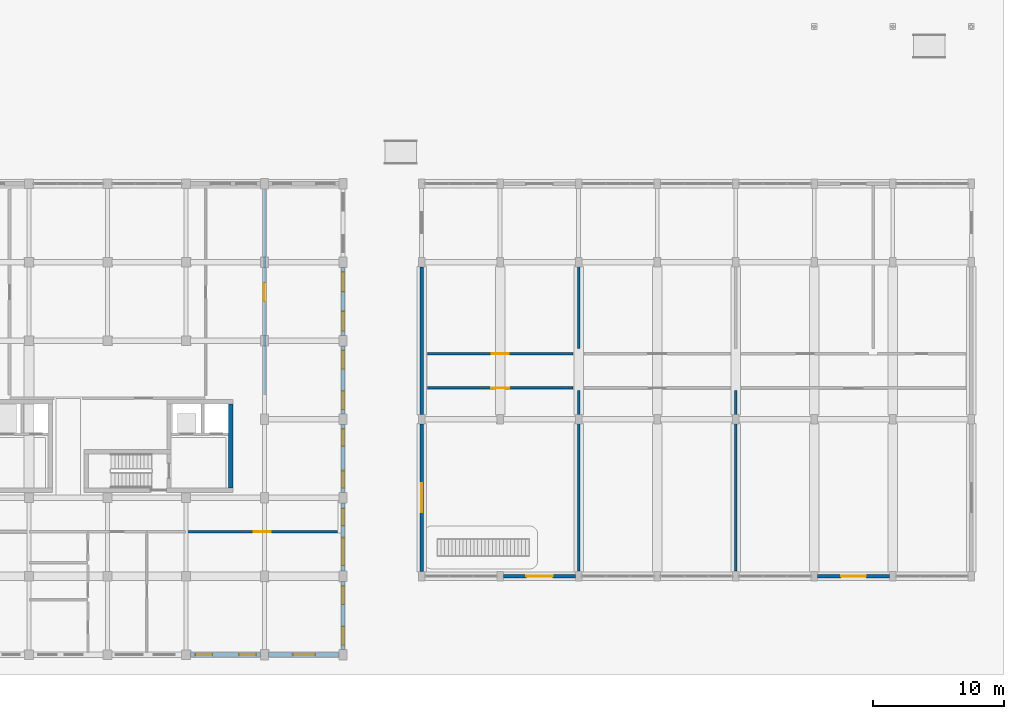
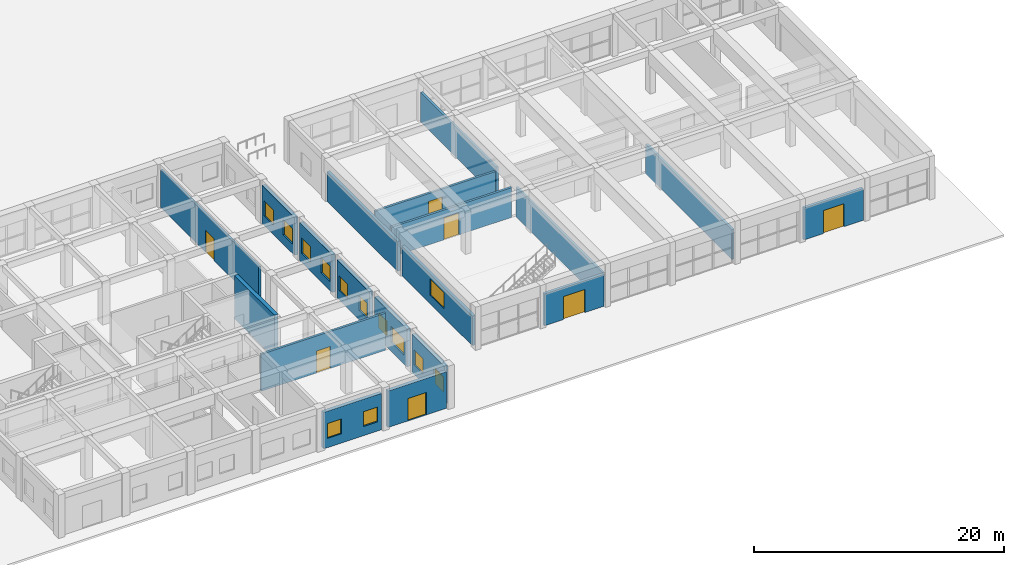
# One storey, part 59 of 76: 19 walls, 13 windows, 7 doors, 20 openings.
"""IFC4 building model written with IfcOpenShell, lengths in metres."""

import ifcopenshell
import ifcopenshell.guid

model = None  # the IFC model being written
_history = None  # IfcOwnerHistory: only IFC2X3 demands one
_inside = {}  # id of a spatial element -> (the spatial element, [elements in it])
_under = {}  # id of a project, library or spatial element -> (it, [spatial elements below it])
_declared = {}  # id of a project -> (the project, [libraries it declares])
_typed = {}  # id of a type object -> (the type object, [elements of that type])
_made_of = {}  # id of a material, layer set ... -> (it, [elements and type objects made of it])


def new_model(schema):
    """Start an empty IFC model of exactly this schema.

    Asked for "IFC4X3", IfcOpenShell would pick the latest addendum, in which some entities
    have other attributes; the version numbers below select the first issue.
    IFC2X3 requires an IfcOwnerHistory on every rooted entity: one is made here for all.
    """
    global model, _history
    if schema == "IFC4X3":
        model = ifcopenshell.file(schema_version=(4, 3, 0, 0))
    else:
        model = ifcopenshell.file(schema=schema)
    _inside.clear()
    _under.clear()
    _declared.clear()
    _typed.clear()
    _made_of.clear()
    _history = None
    if model.schema == "IFC2X3":
        org = make("IfcOrganization", Name="unknown")
        user = make(
            "IfcPersonAndOrganization",
            ThePerson=make("IfcPerson", FamilyName="unknown"),
            TheOrganization=org,
        )
        app = make(
            "IfcApplication",
            ApplicationDeveloper=org,
            Version="unknown",
            ApplicationFullName="unknown",
            ApplicationIdentifier="unknown",
        )
        _history = make(
            "IfcOwnerHistory",
            OwningUser=user,
            OwningApplication=app,
            ChangeAction="ADDED",
            CreationDate=0,
        )
    return model


def make(cls, **values):
    """One entity of the class cls with the attributes given. An attribute that is None is left unset."""
    return model.create_entity(
        cls, **{name: value for name, value in values.items() if value is not None}
    )


def rooted(cls, **values):
    """An entity with a GlobalId (a new one), such as an element, a storey or a relation."""
    return make(cls, GlobalId=ifcopenshell.guid.new(), OwnerHistory=_history, **values)


def si_unit(unit_type, name, prefix=None):
    """IfcSIUnit, for example si_unit("LENGTHUNIT", "METRE", prefix="MILLI")."""
    return make("IfcSIUnit", UnitType=unit_type, Prefix=prefix, Name=name)


def assignment(units):
    """IfcUnitAssignment: the units of a project."""
    return None if units is None else make("IfcUnitAssignment", Units=units)


def point(xyz):
    """IfcCartesianPoint."""
    return None if xyz is None else make("IfcCartesianPoint", Coordinates=xyz)


def direction(xyz):
    """IfcDirection."""
    return None if xyz is None else make("IfcDirection", DirectionRatios=xyz)


def frame(location, z_axis=None, x_axis=None):
    """IfcAxis2Placement3D, a coordinate frame: its origin and axes. An axis left out is left unset."""
    return make(
        "IfcAxis2Placement3D",
        Location=point(location),
        Axis=direction(z_axis),
        RefDirection=direction(x_axis),
    )


def frame_2d(location, x_axis=None):
    """IfcAxis2Placement2D, a coordinate frame in the plane: its origin and x axis."""
    return make(
        "IfcAxis2Placement2D", Location=point(location), RefDirection=direction(x_axis)
    )


def origin():
    """The frame at (0, 0, 0) with its axes left unset."""
    return frame((0.0, 0.0, 0.0))


def place(relative_to, where):
    """IfcLocalPlacement: puts the frame where relative to a parent placement (None: the world)."""
    return make(
        "IfcLocalPlacement", PlacementRelTo=relative_to, RelativePlacement=where
    )


def context(
    kind, dimensions, precision=None, world=None, true_north=None, identifier=None
):
    """IfcGeometricRepresentationContext, for example the 3D "Model" context."""
    return make(
        "IfcGeometricRepresentationContext",
        ContextIdentifier=identifier,
        ContextType=kind,
        CoordinateSpaceDimension=dimensions,
        Precision=precision,
        WorldCoordinateSystem=world,
        TrueNorth=true_north,
    )


def subcontext(parent, identifier, kind, view, scale=None):
    """IfcGeometricRepresentationSubContext, for example "Body" below "Model"."""
    return make(
        "IfcGeometricRepresentationSubContext",
        ContextIdentifier=identifier,
        ContextType=kind,
        ParentContext=parent,
        TargetScale=scale,
        TargetView=view,
    )


def project(units=None, contexts=None):
    """IfcProject with its units and contexts."""
    return rooted(
        "IfcProject",
        Name="project",
        RepresentationContexts=contexts,
        UnitsInContext=assignment(units),
    )


def spatial(cls, under=None, at=None, **own):
    """A site, building, storey or space (cls), placed at a placement, below another one or the project."""
    s = rooted(cls, ObjectPlacement=at, **own)
    if under is not None:
        _under.setdefault(under.id(), (under, []))[1].append(s)
    return s


def profile(cls, at=None, kind="AREA", **sizes):
    """A parametric profile (cls). Its sizes go by their IFC names, for example OverallWidth=200.0."""
    return make(cls, ProfileType=kind, Position=at, **sizes)


def rectangle(**sizes):
    """IfcRectangleProfileDef."""
    return profile("IfcRectangleProfileDef", **sizes)


def extrude(swept, where, along, depth):
    """IfcExtrudedAreaSolid: the profile swept, set in the frame where, extruded along a direction by depth."""
    return make(
        "IfcExtrudedAreaSolid",
        SweptArea=swept,
        Position=where,
        ExtrudedDirection=direction(along),
        Depth=depth,
    )


def shape(context_of_items, identifier, shape_type, items):
    """IfcShapeRepresentation: the items that make up one representation, for example the "Body"."""
    return make(
        "IfcShapeRepresentation",
        ContextOfItems=context_of_items,
        RepresentationIdentifier=identifier,
        RepresentationType=shape_type,
        Items=items,
    )


def material(Name=None, Category=None):
    """IfcMaterial."""
    return make("IfcMaterial", Name=Name, Category=Category)


def layer(
    of_material, thickness, ventilated=None, Name=None, Category=None, Priority=None
):
    """IfcMaterialLayer: one layer of a wall or slab, of a material (None: an air gap)."""
    return make(
        "IfcMaterialLayer",
        Material=of_material,
        LayerThickness=thickness,
        IsVentilated=ventilated,
        Name=Name,
        Category=Category,
        Priority=Priority,
    )


def layer_set(layers, Name=None):
    """IfcMaterialLayerSet."""
    return make("IfcMaterialLayerSet", MaterialLayers=layers, LayerSetName=Name)


def made_of(thing, what):
    """Note that an element or type object is made of a material, layer set ...; save() writes the relation."""
    if what is not None:
        _made_of.setdefault(what.id(), (what, []))[1].append(thing)
    return thing


def type_object(cls, material=None, **own):
    """A type object (cls), such as IfcWallType, which elements share."""
    return made_of(rooted(cls, **own), material)


def element(
    cls,
    number,
    at=None,
    inside=None,
    cuts=None,
    type_object=None,
    material=None,
    context=None,
    identifier="Body",
    shape_type=None,
    held_by="IfcProductDefinitionShape",
    body=None,
    shapes=None,
    **own,
):
    """One element of the class cls, such as IfcWall. Its Tag is "e" and its number.

    at: its placement. inside: the storey or other place that contains it. cuts: it is an
    opening in that element (IfcRelVoidsElement). A single representation is given by context,
    identifier, shape_type and body (its items); several are given by shapes. held_by: the class
    of the entity that holds the representations. save() writes the other relations.
    """
    e = rooted(cls, Tag="e%d" % number, ObjectPlacement=at, **own)
    if body is not None:
        shapes = [shape(context, identifier, shape_type, body)]
    if shapes is not None:
        e.Representation = make(held_by, Representations=shapes)
    if inside is not None:
        _inside.setdefault(inside.id(), (inside, []))[1].append(e)
    if cuts is not None:
        rooted(
            "IfcRelVoidsElement", RelatingBuildingElement=cuts, RelatedOpeningElement=e
        )
    if type_object is not None:
        _typed.setdefault(type_object.id(), (type_object, []))[1].append(e)
    return made_of(e, material)


def fill(opening, filler):
    """IfcRelFillsElement: the door or window that sits in an opening."""
    return rooted(
        "IfcRelFillsElement",
        RelatingOpeningElement=opening,
        RelatedBuildingElement=filler,
    )


def aggregate(whole, parts):
    """IfcRelAggregates: a whole, such as a stair, and the parts it consists of."""
    return rooted("IfcRelAggregates", RelatingObject=whole, RelatedObjects=parts)


def save(model, path):
    """Write the relations noted so far, then the file.

    IfcRelAggregates (storeys below a building ...), IfcRelContainedInSpatialStructure (elements
    in a storey), IfcRelDefinesByType, IfcRelAssociatesMaterial and IfcRelDeclares: one each for
    every whole, place, type object, material and project.
    """
    for whole, parts in _under.values():
        aggregate(whole, parts)
    for where, things in _inside.values():
        rooted(
            "IfcRelContainedInSpatialStructure",
            RelatedElements=things,
            RelatingStructure=where,
        )
    for kind, things in _typed.values():
        rooted("IfcRelDefinesByType", RelatedObjects=things, RelatingType=kind)
    for what, things in _made_of.values():
        rooted("IfcRelAssociatesMaterial", RelatedObjects=things, RelatingMaterial=what)
    for by, libraries in _declared.values():
        rooted("IfcRelDeclares", RelatingContext=by, RelatedDefinitions=libraries)
    model.write(path)


model = new_model("IFC4")

# Units and contexts
model_context = context("Model", 3, precision=1e-05, world=origin(), true_north=direction((0.0, 1.0)))
body_context = subcontext(model_context, "Body", "Model", "MODEL_VIEW")
ifc_project = project(units=[si_unit("LENGTHUNIT", "METRE"), si_unit("AREAUNIT", "SQUARE_METRE"), si_unit("VOLUMEUNIT", "CUBIC_METRE"), si_unit("PLANEANGLEUNIT", "RADIAN"), si_unit("MASSUNIT", "GRAM", prefix="KILO"), si_unit("POWERUNIT", "WATT"), si_unit("THERMODYNAMICTEMPERATUREUNIT", "KELVIN")], contexts=[model_context])

# Site, building, storey
site_placement = place(None, origin())
site = spatial("IfcSite", under=ifc_project, at=site_placement, CompositionType="ELEMENT")
building_placement = place(site_placement, origin())
building = spatial("IfcBuilding", under=site, at=building_placement, Name="Ruvembo Vaulted Housing Court", CompositionType="ELEMENT")
storey_placement = place(building_placement, origin())
storey = spatial("IfcBuildingStorey", under=building, at=storey_placement, Name="L00", CompositionType="ELEMENT", Elevation=0.0)

# Wall
ifc_material_1 = material(Name="Concrete C35/45", Category="concrete")
ifc_layer_1 = layer(ifc_material_1, 0.35009765625, Name="Concrete C35/45")
ifc_layer_set_1 = layer_set([ifc_layer_1], Name="Concrete C35/45")
wall_type_1 = type_object("IfcWallType", Name="WL-CORE-350", PredefinedType="SHEAR", material=ifc_layer_set_1)
wall_1_placement = place(storey_placement, frame((129.425048828125, 12.75, 0.0), z_axis=(0.0, 0.0, 1.0), x_axis=(0.0, 1.0, 0.0)))
element("IfcWall", 1, at=wall_1_placement, inside=storey, type_object=wall_type_1, Name="Core C2 L00 East Shear Wall", PredefinedType="SHEAR", context=body_context, shape_type="SweptSolid", body=[
    extrude(rectangle(XDim=6.39990234375, YDim=0.35009765625, at=frame_2d((3.199951171875, 0.0))), origin(), (0.0, 0.0, 1.0), 4.22998046875),
])

# Wall, opening, door
ifc_material_2 = material(Name="Concrete Blockwork 200", Category="masonry")
ifc_layer_2 = layer(ifc_material_2, 0.199951171875, Name="Concrete Blockwork 200")
ifc_layer_set_2 = layer_set([ifc_layer_2], Name="Concrete Blockwork 200")
wall_type_2 = type_object("IfcWallType", Name="WL-CORR-200", PredefinedType="SOLIDWALL", material=ifc_layer_set_2)
wall_2_placement = place(storey_placement, frame((144.43994140625, 20.39990234375, 0.0), z_axis=(0.0, 0.0, 1.0), x_axis=(1.0, 0.0, 0.0)))
wall_2 = element("IfcWall", 2, at=wall_2_placement, inside=storey, type_object=wall_type_2, Name="L00 Cooperative Fresh Produce Market WL-INT-L00-00077", PredefinedType="SOLIDWALL", context=body_context, shape_type="SweptSolid", body=[
    extrude(rectangle(XDim=11.1201171875, YDim=0.199951171875, at=frame_2d((5.56005859375, 0.0))), origin(), (0.0, 0.0, 1.0), 2.912109375),
])
opening_1_placement = place(wall_2_placement, frame((4.860107421875, 0.0, 0.0)))
opening_1 = element("IfcOpeningElement", 3, at=opening_1_placement, cuts=wall_2, Name="Opening CD1", PredefinedType="OPENING", context=body_context, shape_type="SweptSolid", body=[
    extrude(rectangle(XDim=1.39990234375, YDim=2.14990234375, at=frame_2d((0.699951171875, 1.074951171875))), frame((0.0, 0.10986328125, 0.0), z_axis=(0.0, -1.0, 0.0), x_axis=(1.0, 0.0, 0.0)), (0.0, 0.0, 1.0), 0.219970703125),
])
ifc_material_3 = material(Name="FSC Hardwood and Engineered Timber", Category="wood")
door_type_1 = type_object("IfcDoorType", Name="DR-CIVIC-1400x2150", OperationType="NOTDEFINED", PredefinedType="DOOR", material=ifc_material_3)
door_1_placement = place(opening_1_placement, origin())
door_1 = element("IfcDoor", 4, at=door_1_placement, inside=storey, type_object=door_type_1, Name="L00 Cooperative Fresh Produce Market Door DR-INT-L00-00028", OperationType="SINGLE_SWING_RIGHT", OverallHeight=2.14990234375, OverallWidth=1.39990234375, PredefinedType="DOOR", context=body_context, shape_type="SweptSolid", body=[
    extrude(rectangle(XDim=1.39990234375, YDim=2.14990234375, at=frame_2d((0.699951171875, 1.074951171875))), frame((0.0, 0.02490234375, 0.0), z_axis=(0.0, -1.0, 0.0), x_axis=(1.0, 0.0, 0.0)), (0.0, 0.0, 1.0), 0.050048828125),
])
fill(opening_1, door_1)

# Walls
for number, where, z_axis, x_axis, name in (
    (5, (156.0, 6.389892578125, 0.0), (0.0, 0.0, 1.0), (0.0, 1.0, 0.0), "L00 Cooperative Fresh Produce Market Div WL-INT-L00-00078"),
    (6, (168.0, 6.389892578125, 0.0), (0.0, 0.0, 1.0), (0.0, 1.0, 0.0), "L00 Neighbourhood Pharmacy & Repair Div WL-INT-L00-00080"),
):
    element("IfcWall", number, at=place(storey_placement, frame(where, z_axis=z_axis, x_axis=x_axis)), inside=storey, type_object=wall_type_2, Name=name, PredefinedType="SOLIDWALL", context=body_context, shape_type="SweptSolid", body=[
        extrude(rectangle(XDim=13.820068359375, YDim=0.199951171875, at=frame_2d((6.91015625, 0.0))), origin(), (0.0, 0.0, 1.0), 2.912109375),
    ])

# Wall, opening, door
wall_3_placement = place(storey_placement, frame((144.43994140625, 23.0, 0.0), z_axis=(0.0, 0.0, 1.0), x_axis=(1.0, 0.0, 0.0)))
wall_3 = element("IfcWall", 7, at=wall_3_placement, inside=storey, type_object=wall_type_2, Name="L00 Artisan Tailoring & Bookshop WL-INT-L00-00082", PredefinedType="SOLIDWALL", context=body_context, shape_type="SweptSolid", body=[
    extrude(rectangle(XDim=11.1201171875, YDim=0.199951171875, at=frame_2d((5.56005859375, 0.0))), origin(), (0.0, 0.0, 1.0), 2.912109375),
])
opening_2_placement = place(wall_3_placement, frame((4.909912109375, 0.0, 0.0)))
opening_2 = element("IfcOpeningElement", 8, at=opening_2_placement, cuts=wall_3, Name="Opening CD2", PredefinedType="OPENING", context=body_context, shape_type="SweptSolid", body=[
    extrude(rectangle(XDim=1.300048828125, YDim=2.14990234375, at=frame_2d((0.64990234375, 1.074951171875))), frame((0.0, 0.10986328125, 0.0), z_axis=(0.0, -1.0, 0.0), x_axis=(1.0, 0.0, 0.0)), (0.0, 0.0, 1.0), 0.219970703125),
])
door_type_2 = type_object("IfcDoorType", Name="DR-CIVIC-1300x2150", OperationType="NOTDEFINED", PredefinedType="DOOR", material=ifc_material_3)
door_2_placement = place(opening_2_placement, origin())
door_2 = element("IfcDoor", 9, at=door_2_placement, inside=storey, type_object=door_type_2, Name="L00 Artisan Tailoring & Bookshop Door DR-INT-L00-00031", OperationType="SINGLE_SWING_LEFT", OverallHeight=2.14990234375, OverallWidth=1.300048828125, PredefinedType="DOOR", context=body_context, shape_type="SweptSolid", body=[
    extrude(rectangle(XDim=1.300048828125, YDim=2.14990234375, at=frame_2d((0.64990234375, 1.074951171875))), frame((0.0, 0.02490234375, 0.0), z_axis=(0.0, -1.0, 0.0), x_axis=(1.0, 0.0, 0.0)), (0.0, 0.0, 1.0), 0.050048828125),
])
fill(opening_2, door_2)

# Wall
wall_4_placement = place(storey_placement, frame((156.0, 23.389892578125, 0.0), z_axis=(0.0, 0.0, 1.0), x_axis=(0.0, 1.0, 0.0)))
element("IfcWall", 10, at=wall_4_placement, inside=storey, type_object=wall_type_2, Name="L00 Artisan Tailoring & Bookshop Div WL-INT-L00-00083", PredefinedType="SOLIDWALL", context=body_context, shape_type="SweptSolid", body=[
    extrude(rectangle(XDim=12.10009765625, YDim=0.199951171875, at=frame_2d((6.050048828125, 0.0))), origin(), (0.0, 0.0, 1.0), 2.912109375),
])

# Wall, opening, door
wall_5_placement = place(storey_placement, frame((132.0, 19.840087890625, 0.0), z_axis=(0.0, 0.0, 1.0), x_axis=(0.0, 1.0, 0.0)))
wall_5 = element("IfcWall", 11, at=wall_5_placement, inside=storey, type_object=wall_type_2, Name="L00 Mobility Hub C WL-INT-L00-00127", PredefinedType="SOLIDWALL", context=body_context, shape_type="SweptSolid", body=[
    extrude(rectangle(XDim=15.719970703125, YDim=0.199951171875, at=frame_2d((7.85986328125, 0.0))), origin(), (0.0, 0.0, 1.0), 3.7119140625),
])
opening_3_placement = place(wall_5_placement, frame((7.159912109375, 0.0, 0.0)))
opening_3 = element("IfcOpeningElement", 12, at=opening_3_placement, cuts=wall_5, Name="Opening CD1", PredefinedType="OPENING", context=body_context, shape_type="SweptSolid", body=[
    extrude(rectangle(XDim=1.39990234375, YDim=2.14990234375, at=frame_2d((0.699951171875, 1.074951171875))), frame((0.0, 0.10986328125, 0.0), z_axis=(0.0, -1.0, 0.0), x_axis=(1.0, 0.0, 0.0)), (0.0, 0.0, 1.0), 0.219970703125),
])
door_3_placement = place(opening_3_placement, origin())
door_3 = element("IfcDoor", 13, at=door_3_placement, inside=storey, type_object=door_type_1, Name="L00 Mobility Hub C Door DR-INT-L00-00058", OperationType="SINGLE_SWING_RIGHT", OverallHeight=2.14990234375, OverallWidth=1.39990234375, PredefinedType="DOOR", context=body_context, shape_type="SweptSolid", body=[
    extrude(rectangle(XDim=1.39990234375, YDim=2.14990234375, at=frame_2d((0.699951171875, 1.074951171875))), frame((0.0, 0.02490234375, 0.0), z_axis=(0.0, -1.0, 0.0), x_axis=(1.0, 0.0, 0.0)), (0.0, 0.0, 1.0), 0.050048828125),
])
fill(opening_3, door_3)

wall_6_placement = place(storey_placement, frame((126.0400390625, 9.39990234375, 0.0), z_axis=(0.0, 0.0, 1.0), x_axis=(1.0, 0.0, 0.0)))
wall_6 = element("IfcWall", 14, at=wall_6_placement, inside=storey, type_object=wall_type_2, Name="L00 East Vestibule WL-INT-L00-00140", PredefinedType="SOLIDWALL", context=body_context, shape_type="SweptSolid", body=[
    extrude(rectangle(XDim=11.52001953125, YDim=0.199951171875, at=frame_2d((5.760009765625, 0.0))), origin(), (0.0, 0.0, 1.0), 3.612060546875),
])
opening_4_placement = place(wall_6_placement, frame((5.110107421875, 0.0, 0.0)))
opening_4 = element("IfcOpeningElement", 15, at=opening_4_placement, cuts=wall_6, Name="Opening CD2", PredefinedType="OPENING", context=body_context, shape_type="SweptSolid", body=[
    extrude(rectangle(XDim=1.300048828125, YDim=2.14990234375, at=frame_2d((0.64990234375, 1.074951171875))), frame((0.0, 0.10986328125, 0.0), z_axis=(0.0, -1.0, 0.0), x_axis=(1.0, 0.0, 0.0)), (0.0, 0.0, 1.0), 0.219970703125),
])
door_4_placement = place(opening_4_placement, origin())
door_4 = element("IfcDoor", 16, at=door_4_placement, inside=storey, type_object=door_type_2, Name="L00 East Vestibule Door DR-INT-L00-00065", OperationType="SINGLE_SWING_LEFT", OverallHeight=2.14990234375, OverallWidth=1.300048828125, PredefinedType="DOOR", context=body_context, shape_type="SweptSolid", body=[
    extrude(rectangle(XDim=1.300048828125, YDim=2.14990234375, at=frame_2d((0.64990234375, 1.074951171875))), frame((0.0, 0.02490234375, 0.0), z_axis=(0.0, -1.0, 0.0), x_axis=(1.0, 0.0, 0.0)), (0.0, 0.0, 1.0), 0.050048828125),
])
fill(opening_4, door_4)

ifc_material_4 = material(Name="Rendered Masonry 260", Category="masonry")
ifc_layer_3 = layer(ifc_material_4, 0.260009765625, Name="Rendered Masonry 260")
ifc_layer_set_3 = layer_set([ifc_layer_3], Name="Rendered Masonry 260")
wall_type_3 = type_object("IfcWallType", Name="WL-EXT-260", PredefinedType="STANDARD", material=ifc_layer_set_3)
wall_7_placement = place(storey_placement, frame((150.25, 6.0, 0.0), z_axis=(0.0, 0.0, 1.0), x_axis=(1.0, 0.0, 0.0)))
wall_7 = element("IfcWall", 17, at=wall_7_placement, inside=storey, type_object=wall_type_3, Name="Shops Entrance Bay S2", PredefinedType="STANDARD", context=body_context, shape_type="SweptSolid", body=[
    extrude(rectangle(XDim=5.5, YDim=0.260009765625, at=frame_2d((2.75, 0.0))), origin(), (0.0, 0.0, 1.0), 3.112060546875),
])
opening_5_placement = place(wall_7_placement, frame((1.75, 0.0, 0.0)))
opening_5 = element("IfcOpeningElement", 18, at=opening_5_placement, cuts=wall_7, Name="Opening ED1", PredefinedType="OPENING", context=body_context, shape_type="SweptSolid", body=[
    extrude(rectangle(XDim=2.0, YDim=2.25, at=frame_2d((1.0, 1.125))), frame((0.0, 0.139892578125, 0.0), z_axis=(0.0, -1.0, 0.0), x_axis=(1.0, 0.0, 0.0)), (0.0, 0.0, 1.0), 0.280029296875),
])
ifc_material_5 = material(Name="Thermally Broken Glazed Aluminium", Category="aluminium")
door_type_3 = type_object("IfcDoorType", Name="DR-LOB-2000x2250", OperationType="NOTDEFINED", PredefinedType="DOOR", material=ifc_material_5)
door_5_placement = place(opening_5_placement, frame((2.0, 0.0, 0.0), z_axis=(0.0, 0.0, 1.0), x_axis=(-1.0, 0.0, 0.0)))
door_5 = element("IfcDoor", 19, at=door_5_placement, inside=storey, type_object=door_type_3, Name="Shops Street Entrance S2", OperationType="DOUBLE_DOOR_SINGLE_SWING", OverallHeight=2.25, OverallWidth=2.0, PredefinedType="DOOR", context=body_context, shape_type="SweptSolid", body=[
    extrude(rectangle(XDim=2.0, YDim=2.25, at=frame_2d((1.0, 1.125))), frame((0.0, 0.02490234375, 0.0), z_axis=(0.0, -1.0, 0.0), x_axis=(1.0, 0.0, 0.0)), (0.0, 0.0, 1.0), 0.050048828125),
])
fill(opening_5, door_5)

wall_8_placement = place(storey_placement, frame((174.25, 6.0, 0.0), z_axis=(0.0, 0.0, 1.0), x_axis=(1.0, 0.0, 0.0)))
wall_8 = element("IfcWall", 20, at=wall_8_placement, inside=storey, type_object=wall_type_3, Name="Shops Entrance Bay S6", PredefinedType="STANDARD", context=body_context, shape_type="SweptSolid", body=[
    extrude(rectangle(XDim=5.5, YDim=0.260009765625, at=frame_2d((2.75, 0.0))), origin(), (0.0, 0.0, 1.0), 3.112060546875),
])
opening_6_placement = place(wall_8_placement, frame((1.800048828125, 0.0, 0.0)))
opening_6 = element("IfcOpeningElement", 21, at=opening_6_placement, cuts=wall_8, Name="Opening ED2", PredefinedType="OPENING", context=body_context, shape_type="SweptSolid", body=[
    extrude(rectangle(XDim=1.89990234375, YDim=2.25, at=frame_2d((0.949951171875, 1.125))), frame((0.0, 0.139892578125, 0.0), z_axis=(0.0, -1.0, 0.0), x_axis=(1.0, 0.0, 0.0)), (0.0, 0.0, 1.0), 0.280029296875),
])
door_type_4 = type_object("IfcDoorType", Name="DR-LOB-1900x2250", OperationType="NOTDEFINED", PredefinedType="DOOR", material=ifc_material_5)
door_6_placement = place(opening_6_placement, frame((1.89990234375, 0.0, 0.0), z_axis=(0.0, 0.0, 1.0), x_axis=(-1.0, 0.0, 0.0)))
door_6 = element("IfcDoor", 22, at=door_6_placement, inside=storey, type_object=door_type_4, Name="Shops Street Entrance S6", OperationType="DOUBLE_DOOR_SINGLE_SWING", OverallHeight=2.25, OverallWidth=1.89990234375, PredefinedType="DOOR", context=body_context, shape_type="SweptSolid", body=[
    extrude(rectangle(XDim=1.89990234375, YDim=2.25, at=frame_2d((0.949951171875, 1.125))), frame((0.0, 0.02490234375, 0.0), z_axis=(0.0, -1.0, 0.0), x_axis=(1.0, 0.0, 0.0)), (0.0, 0.0, 1.0), 0.050048828125),
])
fill(opening_6, door_6)

# Wall, opening, window
wall_9_placement = place(storey_placement, frame((144.0, 17.64990234375, 0.0), z_axis=(0.0, 0.0, 1.0), x_axis=(0.0, -1.0, 0.0)))
wall_9 = element("IfcWall", 23, at=wall_9_placement, inside=storey, type_object=wall_type_3, Name="Shops W Facade Wall L00 Bay 1", PredefinedType="STANDARD", context=body_context, shape_type="SweptSolid", body=[
    extrude(rectangle(XDim=11.2998046875, YDim=0.260009765625, at=frame_2d((5.64990234375, 0.0))), origin(), (0.0, 0.0, 1.0), 2.912109375),
])
opening_7_placement = place(wall_9_placement, frame((4.52490234375, 0.0, 0.85009765625)))
opening_7 = element("IfcOpeningElement", 24, at=opening_7_placement, cuts=wall_9, Name="Opening W27", PredefinedType="OPENING", context=body_context, shape_type="SweptSolid", body=[
    extrude(rectangle(XDim=2.25, YDim=1.60009765625, at=frame_2d((1.125, 0.800048828125))), frame((0.0, 0.139892578125, 0.0), z_axis=(0.0, -1.0, 0.0), x_axis=(1.0, 0.0, 0.0)), (0.0, 0.0, 1.0), 0.280029296875),
])
ifc_material_6 = material(Name="Double Solar-Control Glazing in Aluminium Frame", Category="aluminium")
window_type_1 = type_object("IfcWindowType", Name="WIN-2250x1600", PartitioningType="SINGLE_PANEL", PredefinedType="WINDOW", material=ifc_material_6)
window_1_placement = place(opening_7_placement, origin())
window_1 = element("IfcWindow", 25, at=window_1_placement, inside=storey, type_object=window_type_1, Name="Shops W Window L00 #1", OverallHeight=1.60009765625, OverallWidth=2.25, PartitioningType="SINGLE_PANEL", PredefinedType="WINDOW", context=body_context, shape_type="SweptSolid", body=[
    extrude(rectangle(XDim=2.25, YDim=1.60009765625, at=frame_2d((1.125, 0.800048828125))), frame((0.0, 0.030029296875, 0.0), z_axis=(0.0, -1.0, 0.0), x_axis=(1.0, 0.0, 0.0)), (0.0, 0.0, 1.0), 0.06005859375),
])
fill(opening_7, window_1)

# Wall
wall_10_placement = place(storey_placement, frame((144.0, 29.64990234375, 0.0), z_axis=(0.0, 0.0, 1.0), x_axis=(0.0, -1.0, 0.0)))
element("IfcWall", 26, at=wall_10_placement, inside=storey, type_object=wall_type_3, Name="Shops W Facade Wall L00 Bay 2", PredefinedType="STANDARD", context=body_context, shape_type="SweptSolid", body=[
    extrude(rectangle(XDim=11.2998046875, YDim=0.260009765625, at=frame_2d((5.64990234375, 0.0))), origin(), (0.0, 0.0, 1.0), 2.912109375),
])

# Wall, openings, windows
ifc_material_7 = material(Name="Rendered Masonry 320", Category="masonry")
ifc_layer_4 = layer(ifc_material_7, 0.320068359375, Name="Rendered Masonry 320")
ifc_layer_set_4 = layer_set([ifc_layer_4], Name="Rendered Masonry 320")
wall_type_4 = type_object("IfcWallType", Name="WL-EXT-320", PredefinedType="STANDARD", material=ifc_layer_set_4)
wall_11_placement = place(storey_placement, frame((126.35009765625, 0.0, 0.0), z_axis=(0.0, 0.0, 1.0), x_axis=(1.0, 0.0, 0.0)))
wall_11 = element("IfcWall", 27, at=wall_11_placement, inside=storey, type_object=wall_type_4, Name="Block C L00 Exterior Wall STREET #5", PredefinedType="STANDARD", context=body_context, shape_type="SweptSolid", body=[
    extrude(rectangle(XDim=5.349853515625, YDim=0.320068359375, at=frame_2d((2.6748046875, 0.0))), origin(), (0.0, 0.0, 1.0), 3.56201171875),
])
opening_8_placement = place(wall_11_placement, frame((0.35009765625, 0.0, 0.89990234375)))
opening_8 = element("IfcOpeningElement", 28, at=opening_8_placement, cuts=wall_11, Name="Opening W15", PredefinedType="OPENING", context=body_context, shape_type="SweptSolid", body=[
    extrude(rectangle(XDim=1.300048828125, YDim=1.449951171875, at=frame_2d((0.64990234375, 0.72509765625))), frame((0.0, 0.169921875, 0.0), z_axis=(0.0, -1.0, 0.0), x_axis=(1.0, 0.0, 0.0)), (0.0, 0.0, 1.0), 0.340087890625),
])
opening_9_placement = place(wall_11_placement, frame((3.699951171875, 0.0, 0.89990234375)))
opening_9 = element("IfcOpeningElement", 29, at=opening_9_placement, cuts=wall_11, Name="Opening W15", PredefinedType="OPENING", context=body_context, shape_type="SweptSolid", body=[
    extrude(rectangle(XDim=1.300048828125, YDim=1.449951171875, at=frame_2d((0.64990234375, 0.72509765625))), frame((0.0, 0.169921875, 0.0), z_axis=(0.0, -1.0, 0.0), x_axis=(1.0, 0.0, 0.0)), (0.0, 0.0, 1.0), 0.340087890625),
])
window_type_2 = type_object("IfcWindowType", Name="WIN-1300x1450", PartitioningType="SINGLE_PANEL", PredefinedType="WINDOW", material=ifc_material_6)
window_2_placement = place(opening_8_placement, origin())
window_2 = element("IfcWindow", 30, at=window_2_placement, inside=storey, type_object=window_type_2, Name="Block C L00 Window #1075", OverallHeight=1.449951171875, OverallWidth=1.300048828125, PartitioningType="SINGLE_PANEL", PredefinedType="WINDOW", context=body_context, shape_type="SweptSolid", body=[
    extrude(rectangle(XDim=1.300048828125, YDim=1.449951171875, at=frame_2d((0.64990234375, 0.72509765625))), frame((0.0, 0.030029296875, 0.0), z_axis=(0.0, -1.0, 0.0), x_axis=(1.0, 0.0, 0.0)), (0.0, 0.0, 1.0), 0.06005859375),
])
fill(opening_8, window_2)
window_3_placement = place(opening_9_placement, origin())
window_3 = element("IfcWindow", 31, at=window_3_placement, inside=storey, type_object=window_type_2, Name="Block C L00 Window #1076", OverallHeight=1.449951171875, OverallWidth=1.300048828125, PartitioningType="SINGLE_PANEL", PredefinedType="WINDOW", context=body_context, shape_type="SweptSolid", body=[
    extrude(rectangle(XDim=1.300048828125, YDim=1.449951171875, at=frame_2d((0.64990234375, 0.72509765625))), frame((0.0, 0.030029296875, 0.0), z_axis=(0.0, -1.0, 0.0), x_axis=(1.0, 0.0, 0.0)), (0.0, 0.0, 1.0), 0.06005859375),
])
fill(opening_9, window_3)

# Wall, opening, door
wall_12_placement = place(storey_placement, frame((132.300048828125, 0.0, 0.0), z_axis=(0.0, 0.0, 1.0), x_axis=(1.0, 0.0, 0.0)))
wall_12 = element("IfcWall", 32, at=wall_12_placement, inside=storey, type_object=wall_type_4, Name="Block C L00 Exterior Wall STREET #6", PredefinedType="STANDARD", context=body_context, shape_type="SweptSolid", body=[
    extrude(rectangle(XDim=5.39990234375, YDim=0.320068359375, at=frame_2d((2.699951171875, 0.0))), origin(), (0.0, 0.0, 1.0), 3.56201171875),
])
opening_10_placement = place(wall_12_placement, frame((1.85009765625, 0.0, 0.0)))
opening_10 = element("IfcOpeningElement", 33, at=opening_10_placement, cuts=wall_12, Name="Opening EX3", PredefinedType="OPENING", context=body_context, shape_type="SweptSolid", body=[
    extrude(rectangle(XDim=1.699951171875, YDim=2.199951171875, at=frame_2d((0.85009765625, 1.10009765625))), frame((0.0, 0.169921875, 0.0), z_axis=(0.0, -1.0, 0.0), x_axis=(1.0, 0.0, 0.0)), (0.0, 0.0, 1.0), 0.340087890625),
])
door_type_5 = type_object("IfcDoorType", Name="DR-EXIT-1700x2200", OperationType="NOTDEFINED", PredefinedType="DOOR", material=ifc_material_5)
door_7_placement = place(opening_10_placement, frame((1.699951171875, 0.0, 0.0), z_axis=(0.0, 0.0, 1.0), x_axis=(-1.0, 0.0, 0.0)))
door_7 = element("IfcDoor", 34, at=door_7_placement, inside=storey, type_object=door_type_5, Name="Block C Final Exit Door DR-EXIT-C-049", OperationType="DOUBLE_DOOR_SINGLE_SWING", OverallHeight=2.199951171875, OverallWidth=1.699951171875, PredefinedType="DOOR", context=body_context, shape_type="SweptSolid", body=[
    extrude(rectangle(XDim=1.699951171875, YDim=2.199951171875, at=frame_2d((0.85009765625, 1.10009765625))), frame((0.0, 0.02490234375, 0.0), z_axis=(0.0, -1.0, 0.0), x_axis=(1.0, 0.0, 0.0)), (0.0, 0.0, 1.0), 0.050048828125),
])
fill(opening_10, door_7)

# Wall, openings, windows
wall_13_placement = place(storey_placement, frame((138.0, 0.39990234375, 0.0), z_axis=(0.0, 0.0, 1.0), x_axis=(0.0, 1.0, 0.0)))
wall_13 = element("IfcWall", 35, at=wall_13_placement, inside=storey, type_object=wall_type_4, Name="Block C L00 Exterior Wall EAST #1", PredefinedType="STANDARD", context=body_context, shape_type="SweptSolid", body=[
    extrude(rectangle(XDim=5.2001953125, YDim=0.320068359375, at=frame_2d((2.60009765625, 0.0))), origin(), (0.0, 0.0, 1.0), 3.7119140625),
])
opening_11_placement = place(wall_13_placement, frame((0.35009765625, 0.0, 0.89990234375)))
opening_11 = element("IfcOpeningElement", 36, at=opening_11_placement, cuts=wall_13, Name="Opening W17", PredefinedType="OPENING", context=body_context, shape_type="SweptSolid", body=[
    extrude(rectangle(XDim=1.39990234375, YDim=1.5, at=frame_2d((0.699951171875, 0.75))), frame((0.0, 0.169921875, 0.0), z_axis=(0.0, -1.0, 0.0), x_axis=(1.0, 0.0, 0.0)), (0.0, 0.0, 1.0), 0.340087890625),
])
opening_12_placement = place(wall_13_placement, frame((3.449951171875, 0.0, 0.89990234375)))
opening_12 = element("IfcOpeningElement", 37, at=opening_12_placement, cuts=wall_13, Name="Opening W17", PredefinedType="OPENING", context=body_context, shape_type="SweptSolid", body=[
    extrude(rectangle(XDim=1.39990234375, YDim=1.5, at=frame_2d((0.699951171875, 0.75))), frame((0.0, 0.169921875, 0.0), z_axis=(0.0, -1.0, 0.0), x_axis=(1.0, 0.0, 0.0)), (0.0, 0.0, 1.0), 0.340087890625),
])
window_type_3 = type_object("IfcWindowType", Name="WIN-1400x1500", PartitioningType="SINGLE_PANEL", PredefinedType="WINDOW", material=ifc_material_6)
window_4_placement = place(opening_11_placement, origin())
window_4 = element("IfcWindow", 38, at=window_4_placement, inside=storey, type_object=window_type_3, Name="Block C L00 Window #1077", OverallHeight=1.5, OverallWidth=1.39990234375, PartitioningType="SINGLE_PANEL", PredefinedType="WINDOW", context=body_context, shape_type="SweptSolid", body=[
    extrude(rectangle(XDim=1.39990234375, YDim=1.5, at=frame_2d((0.699951171875, 0.75))), frame((0.0, 0.030029296875, 0.0), z_axis=(0.0, -1.0, 0.0), x_axis=(1.0, 0.0, 0.0)), (0.0, 0.0, 1.0), 0.06005859375),
])
fill(opening_11, window_4)
window_5_placement = place(opening_12_placement, origin())
window_5 = element("IfcWindow", 39, at=window_5_placement, inside=storey, type_object=window_type_3, Name="Block C L00 Window #1078", OverallHeight=1.5, OverallWidth=1.39990234375, PartitioningType="SINGLE_PANEL", PredefinedType="WINDOW", context=body_context, shape_type="SweptSolid", body=[
    extrude(rectangle(XDim=1.39990234375, YDim=1.5, at=frame_2d((0.699951171875, 0.75))), frame((0.0, 0.030029296875, 0.0), z_axis=(0.0, -1.0, 0.0), x_axis=(1.0, 0.0, 0.0)), (0.0, 0.0, 1.0), 0.06005859375),
])
fill(opening_12, window_5)

wall_14_placement = place(storey_placement, frame((138.0, 6.39990234375, 0.0), z_axis=(0.0, 0.0, 1.0), x_axis=(0.0, 1.0, 0.0)))
wall_14 = element("IfcWall", 40, at=wall_14_placement, inside=storey, type_object=wall_type_4, Name="Block C L00 Exterior Wall EAST #2", PredefinedType="STANDARD", context=body_context, shape_type="SweptSolid", body=[
    extrude(rectangle(XDim=5.2001953125, YDim=0.320068359375, at=frame_2d((2.60009765625, 0.0))), origin(), (0.0, 0.0, 1.0), 3.7119140625),
])
opening_13_placement = place(wall_14_placement, frame((0.429931640625, 0.0, 0.89990234375)))
opening_13 = element("IfcOpeningElement", 41, at=opening_13_placement, cuts=wall_14, Name="Opening W25", PredefinedType="OPENING", context=body_context, shape_type="SweptSolid", body=[
    extrude(rectangle(XDim=2.10009765625, YDim=1.550048828125, at=frame_2d((1.050048828125, 0.77490234375))), frame((0.0, 0.169921875, 0.0), z_axis=(0.0, -1.0, 0.0), x_axis=(1.0, 0.0, 0.0)), (0.0, 0.0, 1.0), 0.340087890625),
])
opening_14_placement = place(wall_14_placement, frame((3.469970703125, 0.0, 0.89990234375)))
opening_14 = element("IfcOpeningElement", 42, at=opening_14_placement, cuts=wall_14, Name="Opening W15", PredefinedType="OPENING", context=body_context, shape_type="SweptSolid", body=[
    extrude(rectangle(XDim=1.300048828125, YDim=1.449951171875, at=frame_2d((0.64990234375, 0.72509765625))), frame((0.0, 0.169921875, 0.0), z_axis=(0.0, -1.0, 0.0), x_axis=(1.0, 0.0, 0.0)), (0.0, 0.0, 1.0), 0.340087890625),
])
window_6_placement = place(opening_14_placement, origin())
window_6 = element("IfcWindow", 43, at=window_6_placement, inside=storey, type_object=window_type_2, Name="Block C L00 Window #1080", OverallHeight=1.449951171875, OverallWidth=1.300048828125, PartitioningType="SINGLE_PANEL", PredefinedType="WINDOW", context=body_context, shape_type="SweptSolid", body=[
    extrude(rectangle(XDim=1.300048828125, YDim=1.449951171875, at=frame_2d((0.64990234375, 0.72509765625))), frame((0.0, 0.030029296875, 0.0), z_axis=(0.0, -1.0, 0.0), x_axis=(1.0, 0.0, 0.0)), (0.0, 0.0, 1.0), 0.06005859375),
])
fill(opening_14, window_6)
window_type_4 = type_object("IfcWindowType", Name="WIN-2100x1550", PartitioningType="SINGLE_PANEL", PredefinedType="WINDOW", material=ifc_material_6)
window_7_placement = place(opening_13_placement, origin())
window_7 = element("IfcWindow", 44, at=window_7_placement, inside=storey, type_object=window_type_4, Name="Block C L00 Window #1079", OverallHeight=1.550048828125, OverallWidth=2.10009765625, PartitioningType="SINGLE_PANEL", PredefinedType="WINDOW", context=body_context, shape_type="SweptSolid", body=[
    extrude(rectangle(XDim=2.10009765625, YDim=1.550048828125, at=frame_2d((1.050048828125, 0.77490234375))), frame((0.0, 0.030029296875, 0.0), z_axis=(0.0, -1.0, 0.0), x_axis=(1.0, 0.0, 0.0)), (0.0, 0.0, 1.0), 0.06005859375),
])
fill(opening_13, window_7)

wall_15_placement = place(storey_placement, frame((138.0, 12.39990234375, 0.0), z_axis=(0.0, 0.0, 1.0), x_axis=(0.0, 1.0, 0.0)))
wall_15 = element("IfcWall", 45, at=wall_15_placement, inside=storey, type_object=wall_type_4, Name="Block C L00 Exterior Wall EAST #3", PredefinedType="STANDARD", context=body_context, shape_type="SweptSolid", body=[
    extrude(rectangle(XDim=5.2001953125, YDim=0.320068359375, at=frame_2d((2.60009765625, 0.0))), origin(), (0.0, 0.0, 1.0), 3.7119140625),
])
opening_15_placement = place(wall_15_placement, frame((0.35009765625, 0.0, 0.89990234375)))
opening_15 = element("IfcOpeningElement", 46, at=opening_15_placement, cuts=wall_15, Name="Opening W15", PredefinedType="OPENING", context=body_context, shape_type="SweptSolid", body=[
    extrude(rectangle(XDim=1.300048828125, YDim=1.449951171875, at=frame_2d((0.64990234375, 0.72509765625))), frame((0.0, 0.169921875, 0.0), z_axis=(0.0, -1.0, 0.0), x_axis=(1.0, 0.0, 0.0)), (0.0, 0.0, 1.0), 0.340087890625),
])
opening_16_placement = place(wall_15_placement, frame((3.550048828125, 0.0, 0.89990234375)))
opening_16 = element("IfcOpeningElement", 47, at=opening_16_placement, cuts=wall_15, Name="Opening W15", PredefinedType="OPENING", context=body_context, shape_type="SweptSolid", body=[
    extrude(rectangle(XDim=1.300048828125, YDim=1.449951171875, at=frame_2d((0.64990234375, 0.72509765625))), frame((0.0, 0.169921875, 0.0), z_axis=(0.0, -1.0, 0.0), x_axis=(1.0, 0.0, 0.0)), (0.0, 0.0, 1.0), 0.340087890625),
])
window_8_placement = place(opening_15_placement, origin())
window_8 = element("IfcWindow", 48, at=window_8_placement, inside=storey, type_object=window_type_2, Name="Block C L00 Window #1081", OverallHeight=1.449951171875, OverallWidth=1.300048828125, PartitioningType="SINGLE_PANEL", PredefinedType="WINDOW", context=body_context, shape_type="SweptSolid", body=[
    extrude(rectangle(XDim=1.300048828125, YDim=1.449951171875, at=frame_2d((0.64990234375, 0.72509765625))), frame((0.0, 0.030029296875, 0.0), z_axis=(0.0, -1.0, 0.0), x_axis=(1.0, 0.0, 0.0)), (0.0, 0.0, 1.0), 0.06005859375),
])
fill(opening_15, window_8)
window_9_placement = place(opening_16_placement, origin())
window_9 = element("IfcWindow", 49, at=window_9_placement, inside=storey, type_object=window_type_2, Name="Block C L00 Window #1082", OverallHeight=1.449951171875, OverallWidth=1.300048828125, PartitioningType="SINGLE_PANEL", PredefinedType="WINDOW", context=body_context, shape_type="SweptSolid", body=[
    extrude(rectangle(XDim=1.300048828125, YDim=1.449951171875, at=frame_2d((0.64990234375, 0.72509765625))), frame((0.0, 0.030029296875, 0.0), z_axis=(0.0, -1.0, 0.0), x_axis=(1.0, 0.0, 0.0)), (0.0, 0.0, 1.0), 0.06005859375),
])
fill(opening_16, window_9)

wall_16_placement = place(storey_placement, frame((138.0, 18.39990234375, 0.0), z_axis=(0.0, 0.0, 1.0), x_axis=(0.0, 1.0, 0.0)))
wall_16 = element("IfcWall", 50, at=wall_16_placement, inside=storey, type_object=wall_type_4, Name="Block C L00 Exterior Wall EAST #4", PredefinedType="STANDARD", context=body_context, shape_type="SweptSolid", body=[
    extrude(rectangle(XDim=5.2001953125, YDim=0.320068359375, at=frame_2d((2.60009765625, 0.0))), origin(), (0.0, 0.0, 1.0), 3.7119140625),
])
opening_17_placement = place(wall_16_placement, frame((0.35009765625, 0.0, 0.89990234375)))
opening_17 = element("IfcOpeningElement", 51, at=opening_17_placement, cuts=wall_16, Name="Opening W17", PredefinedType="OPENING", context=body_context, shape_type="SweptSolid", body=[
    extrude(rectangle(XDim=1.39990234375, YDim=1.5, at=frame_2d((0.699951171875, 0.75))), frame((0.0, 0.169921875, 0.0), z_axis=(0.0, -1.0, 0.0), x_axis=(1.0, 0.0, 0.0)), (0.0, 0.0, 1.0), 0.340087890625),
])
opening_18_placement = place(wall_16_placement, frame((3.449951171875, 0.0, 0.89990234375)))
opening_18 = element("IfcOpeningElement", 52, at=opening_18_placement, cuts=wall_16, Name="Opening W17", PredefinedType="OPENING", context=body_context, shape_type="SweptSolid", body=[
    extrude(rectangle(XDim=1.39990234375, YDim=1.5, at=frame_2d((0.699951171875, 0.75))), frame((0.0, 0.169921875, 0.0), z_axis=(0.0, -1.0, 0.0), x_axis=(1.0, 0.0, 0.0)), (0.0, 0.0, 1.0), 0.340087890625),
])
window_10_placement = place(opening_17_placement, origin())
window_10 = element("IfcWindow", 53, at=window_10_placement, inside=storey, type_object=window_type_3, Name="Block C L00 Window #1083", OverallHeight=1.5, OverallWidth=1.39990234375, PartitioningType="SINGLE_PANEL", PredefinedType="WINDOW", context=body_context, shape_type="SweptSolid", body=[
    extrude(rectangle(XDim=1.39990234375, YDim=1.5, at=frame_2d((0.699951171875, 0.75))), frame((0.0, 0.030029296875, 0.0), z_axis=(0.0, -1.0, 0.0), x_axis=(1.0, 0.0, 0.0)), (0.0, 0.0, 1.0), 0.06005859375),
])
fill(opening_17, window_10)
window_11_placement = place(opening_18_placement, origin())
window_11 = element("IfcWindow", 54, at=window_11_placement, inside=storey, type_object=window_type_3, Name="Block C L00 Window #1084", OverallHeight=1.5, OverallWidth=1.39990234375, PartitioningType="SINGLE_PANEL", PredefinedType="WINDOW", context=body_context, shape_type="SweptSolid", body=[
    extrude(rectangle(XDim=1.39990234375, YDim=1.5, at=frame_2d((0.699951171875, 0.75))), frame((0.0, 0.030029296875, 0.0), z_axis=(0.0, -1.0, 0.0), x_axis=(1.0, 0.0, 0.0)), (0.0, 0.0, 1.0), 0.06005859375),
])
fill(opening_18, window_11)

wall_17_placement = place(storey_placement, frame((138.0, 24.39990234375, 0.0), z_axis=(0.0, 0.0, 1.0), x_axis=(0.0, 1.0, 0.0)))
wall_17 = element("IfcWall", 55, at=wall_17_placement, inside=storey, type_object=wall_type_4, Name="Block C L00 Exterior Wall EAST #5", PredefinedType="STANDARD", context=body_context, shape_type="SweptSolid", body=[
    extrude(rectangle(XDim=5.2001953125, YDim=0.320068359375, at=frame_2d((2.60009765625, 0.0))), origin(), (0.0, 0.0, 1.0), 3.7119140625),
])
opening_19_placement = place(wall_17_placement, frame((0.35009765625, 0.0, 0.89990234375)))
opening_19 = element("IfcOpeningElement", 56, at=opening_19_placement, cuts=wall_17, Name="Opening W19", PredefinedType="OPENING", context=body_context, shape_type="SweptSolid", body=[
    extrude(rectangle(XDim=1.5, YDim=1.5, at=frame_2d((0.75, 0.75))), frame((0.0, 0.169921875, 0.0), z_axis=(0.0, -1.0, 0.0), x_axis=(1.0, 0.0, 0.0)), (0.0, 0.0, 1.0), 0.340087890625),
])
opening_20_placement = place(wall_17_placement, frame((3.35009765625, 0.0, 0.89990234375)))
opening_20 = element("IfcOpeningElement", 57, at=opening_20_placement, cuts=wall_17, Name="Opening W19", PredefinedType="OPENING", context=body_context, shape_type="SweptSolid", body=[
    extrude(rectangle(XDim=1.5, YDim=1.5, at=frame_2d((0.75, 0.75))), frame((0.0, 0.169921875, 0.0), z_axis=(0.0, -1.0, 0.0), x_axis=(1.0, 0.0, 0.0)), (0.0, 0.0, 1.0), 0.340087890625),
])
window_type_5 = type_object("IfcWindowType", Name="WIN-1500x1500", PartitioningType="SINGLE_PANEL", PredefinedType="WINDOW", material=ifc_material_6)
window_12_placement = place(opening_19_placement, origin())
window_12 = element("IfcWindow", 58, at=window_12_placement, inside=storey, type_object=window_type_5, Name="Block C L00 Window #1085", OverallHeight=1.5, OverallWidth=1.5, PartitioningType="SINGLE_PANEL", PredefinedType="WINDOW", context=body_context, shape_type="SweptSolid", body=[
    extrude(rectangle(XDim=1.5, YDim=1.5, at=frame_2d((0.75, 0.75))), frame((0.0, 0.030029296875, 0.0), z_axis=(0.0, -1.0, 0.0), x_axis=(1.0, 0.0, 0.0)), (0.0, 0.0, 1.0), 0.06005859375),
])
fill(opening_19, window_12)
window_13_placement = place(opening_20_placement, origin())
window_13 = element("IfcWindow", 59, at=window_13_placement, inside=storey, type_object=window_type_5, Name="Block C L00 Window #1086", OverallHeight=1.5, OverallWidth=1.5, PartitioningType="SINGLE_PANEL", PredefinedType="WINDOW", context=body_context, shape_type="SweptSolid", body=[
    extrude(rectangle(XDim=1.5, YDim=1.5, at=frame_2d((0.75, 0.75))), frame((0.0, 0.030029296875, 0.0), z_axis=(0.0, -1.0, 0.0), x_axis=(1.0, 0.0, 0.0)), (0.0, 0.0, 1.0), 0.06005859375),
])
fill(opening_20, window_13)

save(model, "model.ifc")
